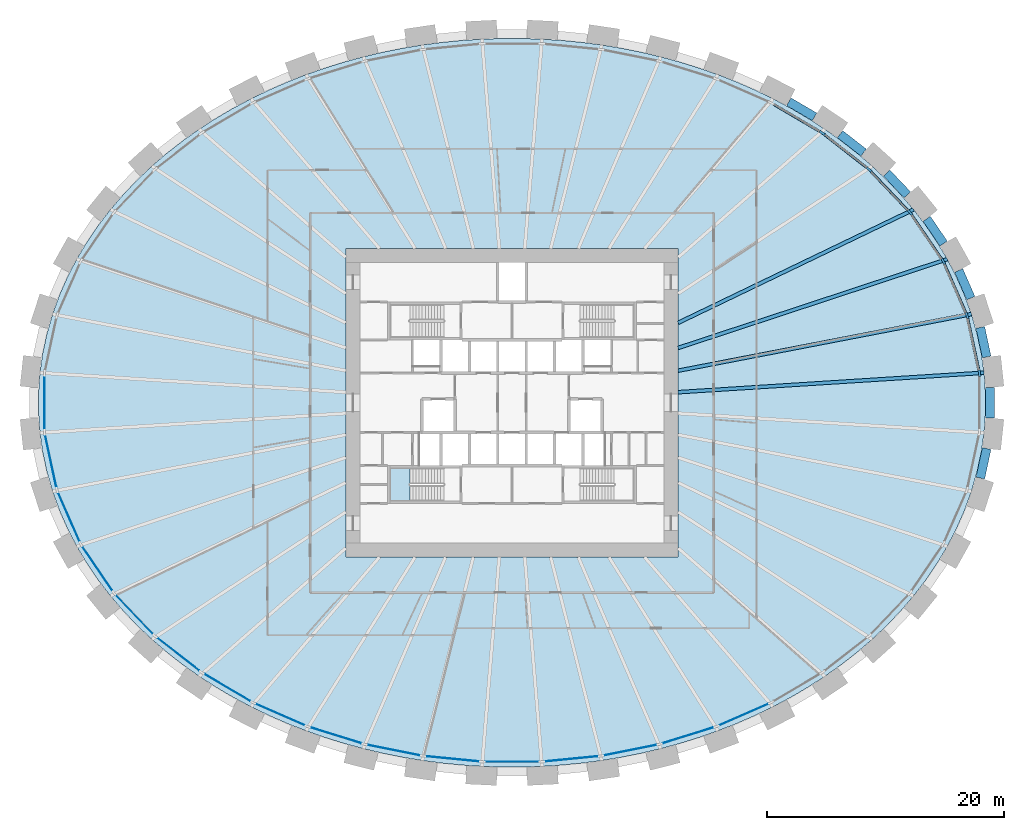
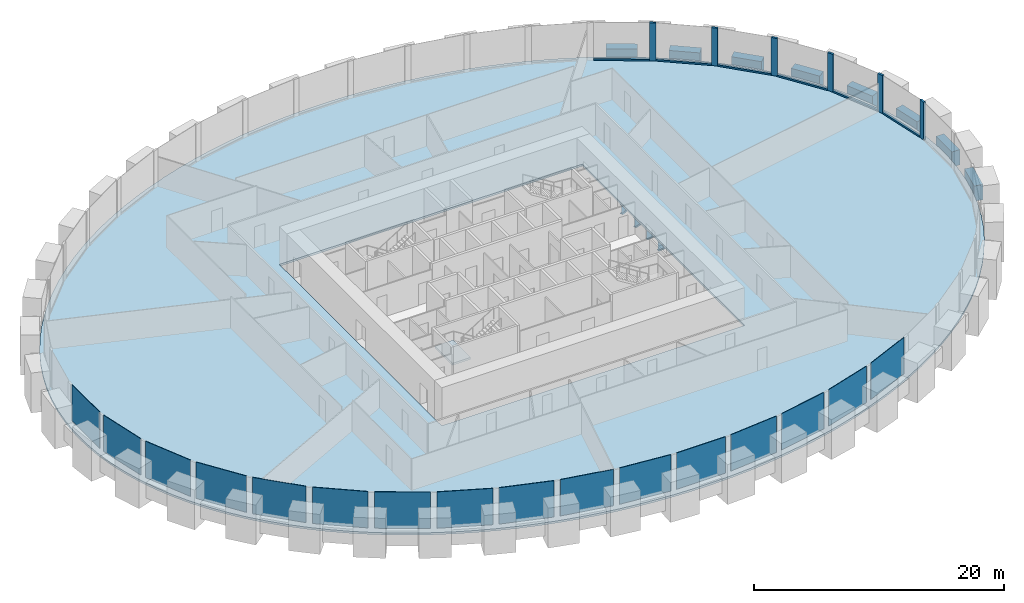
# One storey, part 4 of 11: 16 plates, 12 beams, 12 members, 2 slabs, 2 elements without a shape of their own.
"""IFC4 building model written with IfcOpenShell, lengths in metres."""

from ifc_helpers import new_model, si_unit, direction, frame, origin, origin_2d, place, context, subcontext, project, spatial, polyline, rectangle, i_section, outline, extrude, source, transform, mapped, material, layer, layer_set, material_profile, profile_set, type_object, element, aggregate, save


model = new_model("IFC4")

# Units and contexts
model_context = context("Model", 3, precision=1e-05, world=origin(), true_north=direction((0.0, 1.0)))
body_context = subcontext(model_context, "Body", "Model", "MODEL_VIEW")
ifc_project = project(units=[si_unit("LENGTHUNIT", "METRE"), si_unit("AREAUNIT", "SQUARE_METRE"), si_unit("VOLUMEUNIT", "CUBIC_METRE"), si_unit("PLANEANGLEUNIT", "RADIAN"), si_unit("MASSUNIT", "GRAM", prefix="KILO")], contexts=[model_context])

# Site, building, storey
site_placement = place(None, origin())
site = spatial("IfcSite", under=ifc_project, at=site_placement, CompositionType="ELEMENT")
building_placement = place(site_placement, origin())
building = spatial("IfcBuilding", under=site, at=building_placement, Name="Embergate Tower", CompositionType="ELEMENT")
storey_placement = place(building_placement, frame((0.0, 0.0, 62.0)))
storey = spatial("IfcBuildingStorey", under=building, at=storey_placement, Name="L11", CompositionType="ELEMENT", Elevation=62.0)

# Beams
ifc_material_1 = material(Name="Concrete C70", Category="concrete")
ifc_material_profile_1 = material_profile(ifc_material_1, rectangle(XDim=0.75, YDim=1.5, at=origin_2d()), Name="RC 750x1500")
ifc_profile_set_1 = profile_set([ifc_material_profile_1], Name="Concrete C70")
beam_type_1 = type_object("IfcBeamType", Name="Spandrel beam RC 750x1500 C70", PredefinedType="BEAM", material=ifc_profile_set_1)
shared_shape_1 = source(origin(), body_context, "Body", "SweptSolid", [
    extrude(rectangle(XDim=0.75, YDim=1.5, at=origin_2d()), origin(), (0.0, 0.0, 1.0), 2.5439453125),
])
for number, where, z_axis, x_axis, name in (
    (1, (40.0009765625, 3.85791015625, 0.0), (-0.210269633901, 0.977643432474, 0.0), (-0.977643432474, -0.210269633901, 0.0), "SPN-L11-00"),
    (2, (39.466064453125, -6.344970703125, 0.0), (0.210269633901, 0.977643432474, 0.0), (-0.977643432474, 0.210269633901, 0.0), "SPN-L11-42"),
):
    element("IfcBeam", number, at=place(storey_placement, frame(where, z_axis=z_axis, x_axis=x_axis)), inside=storey, type_object=beam_type_1, Name=name, PredefinedType="BEAM", context=body_context, shape_type="MappedRepresentation", body=[
        mapped(shared_shape_1, transform((0.0, 0.0, 0.0))),
    ])
shared_shape_2 = source(origin(), body_context, "Body", "SweptSolid", [
    extrude(rectangle(XDim=0.75, YDim=1.5, at=origin_2d()), origin(), (0.0, 0.0, 1.0), 2.540771484375),
])
beam_1_placement = place(storey_placement, frame((38.666015625, 8.819091796875, 0.0), z_axis=(-0.401479097778, 0.915868185956, 0.0), x_axis=(-0.915868185956, -0.401479097778, 0.0)))
element("IfcBeam", 3, at=beam_1_placement, inside=storey, type_object=beam_type_1, Name="SPN-L11-01", PredefinedType="BEAM", context=body_context, shape_type="MappedRepresentation", body=[
    mapped(shared_shape_2, transform((0.0, 0.0, 0.0))),
])
shared_shape_3 = source(origin(), body_context, "Body", "SweptSolid", [
    extrude(rectangle(XDim=0.75, YDim=1.5, at=origin_2d()), origin(), (0.0, 0.0, 1.0), 2.5302734375),
])
beam_2_placement = place(storey_placement, frame((36.3701171875, 13.410888671875, 0.0), z_axis=(-0.562447254988, 0.82683316658, 0.0), x_axis=(-0.82683316658, -0.562447254988, 0.0)))
element("IfcBeam", 4, at=beam_2_placement, inside=storey, type_object=beam_type_1, Name="SPN-L11-02", PredefinedType="BEAM", context=body_context, shape_type="MappedRepresentation", body=[
    mapped(shared_shape_3, transform((0.0, 0.0, 0.0))),
])
shared_shape_4 = source(origin(), body_context, "Body", "SweptSolid", [
    extrude(rectangle(XDim=0.75, YDim=1.5, at=origin_2d()), origin(), (0.0, 0.0, 1.0), 2.525146484375),
])
beam_3_placement = place(storey_placement, frame((33.31298828125, 17.52490234375, 0.0), z_axis=(-0.689836216716, 0.723965464719, 0.0), x_axis=(-0.723965464719, -0.689836216716, 0.0)))
element("IfcBeam", 5, at=beam_3_placement, inside=storey, type_object=beam_type_1, Name="SPN-L11-03", PredefinedType="BEAM", context=body_context, shape_type="MappedRepresentation", body=[
    mapped(shared_shape_4, transform((0.0, 0.0, 0.0))),
])
shared_shape_5 = source(origin(), body_context, "Body", "SweptSolid", [
    extrude(rectangle(XDim=0.75, YDim=1.5, at=origin_2d()), origin(), (0.0, 0.0, 1.0), 2.51708984375),
])
beam_4_placement = place(storey_placement, frame((29.6298828125, 21.0830078125, 0.0), z_axis=(-0.788186103863, 0.615436971328, 0.0), x_axis=(-0.615436971328, -0.788186103863, 0.0)))
element("IfcBeam", 6, at=beam_4_placement, inside=storey, type_object=beam_type_1, Name="SPN-L11-04", PredefinedType="BEAM", context=body_context, shape_type="MappedRepresentation", body=[
    mapped(shared_shape_5, transform((0.0, 0.0, 0.0))),
])
shared_shape_6 = source(origin(), body_context, "Body", "SweptSolid", [
    extrude(rectangle(XDim=0.75, YDim=1.5, at=origin_2d()), origin(), (0.0, 0.0, 1.0), 2.512451171875),
])
beam_5_placement = place(storey_placement, frame((25.49609375, 24.093994140625, 0.0), z_axis=(-0.862138987282, 0.506671852986, 0.0), x_axis=(-0.506671852986, -0.862138987282, 0.0)))
element("IfcBeam", 7, at=beam_5_placement, inside=storey, type_object=beam_type_1, Name="SPN-L11-05", PredefinedType="BEAM", context=body_context, shape_type="MappedRepresentation", body=[
    mapped(shared_shape_6, transform((0.0, 0.0, 0.0))),
])
shared_shape_7 = source(origin(), body_context, "Body", "SweptSolid", [
    extrude(rectangle(XDim=0.75, YDim=1.5, at=origin_2d()), origin(), (0.0, 0.0, 1.0), 2.5498046875),
])
beam_6_placement = place(storey_placement, frame((40.2958984375, -1.27490234375, 0.0), z_axis=(0.0, 1.0, 0.0), x_axis=(-1.0, 0.0, 0.0)))
element("IfcBeam", 8, at=beam_6_placement, inside=storey, type_object=beam_type_1, Name="SPN-L11-43", PredefinedType="BEAM", context=body_context, shape_type="MappedRepresentation", body=[
    mapped(shared_shape_7, transform((0.0, 0.0, 0.0))),
])
ifc_material_2 = material(Name="Steel Q355B", Category="steel")
ifc_material_profile_2 = material_profile(ifc_material_2, i_section(OverallWidth=0.300048828125, OverallDepth=0.89990234375, WebThickness=0.01611328125, FlangeThickness=0.028076171875, FilletRadius=0.028076171875, at=origin_2d()), Name="HN 900x300x16x28")
ifc_profile_set_2 = profile_set([ifc_material_profile_2], Name="Steel Q355 grade B")
beam_type_2 = type_object("IfcBeamType", Name="Radial girder HN 900x300x16x28", PredefinedType="BEAM", material=ifc_profile_set_2)
shared_shape_8 = source(origin(), body_context, "Body", "SweptSolid", [
    extrude(i_section(OverallWidth=0.300048828125, OverallDepth=0.89990234375, WebThickness=0.01611328125, FlangeThickness=0.028076171875, FilletRadius=0.028076171875, at=origin_2d()), origin(), (0.0, 0.0, 1.0), 25.8330078125),
])
beam_7_placement = place(storey_placement, frame((39.781005859375, 2.527099609375, -0.64990234375), z_axis=(-0.997987282957, -0.063414375786, 0.0), x_axis=(0.063414375786, -0.997987282957, 0.0)))
element("IfcBeam", 9, at=beam_7_placement, inside=storey, type_object=beam_type_2, Name="GIR-L11-00", PredefinedType="BEAM", context=body_context, shape_type="MappedRepresentation", body=[
    mapped(shared_shape_8, transform((0.0, 0.0, 0.0))),
])
shared_shape_9 = source(origin(), body_context, "Body", "SweptSolid", [
    extrude(i_section(OverallWidth=0.300048828125, OverallDepth=0.89990234375, WebThickness=0.01611328125, FlangeThickness=0.028076171875, FilletRadius=0.028076171875, at=origin_2d()), origin(), (0.0, 0.0, 1.0), 25.173583984375),
])
beam_8_placement = place(storey_placement, frame((38.718017578125, 7.468994140625, -0.64990234375), z_axis=(-0.981898721565, -0.189406706822, 0.0), x_axis=(0.189406706822, -0.981898721565, 0.0)))
element("IfcBeam", 10, at=beam_8_placement, inside=storey, type_object=beam_type_2, Name="GIR-L11-01", PredefinedType="BEAM", context=body_context, shape_type="MappedRepresentation", body=[
    mapped(shared_shape_9, transform((0.0, 0.0, 0.0))),
])
shared_shape_10 = source(origin(), body_context, "Body", "SweptSolid", [
    extrude(i_section(OverallWidth=0.300048828125, OverallDepth=0.89990234375, WebThickness=0.01611328125, FlangeThickness=0.028076171875, FilletRadius=0.028076171875, at=origin_2d()), origin(), (0.0, 0.0, 1.0), 23.889404296875),
])
beam_9_placement = place(storey_placement, frame((36.68701171875, 12.10009765625, -0.64990234375), z_axis=(-0.949672981662, -0.313243081171, 0.0), x_axis=(0.313243081171, -0.949672981662, 0.0)))
element("IfcBeam", 11, at=beam_9_placement, inside=storey, type_object=beam_type_2, Name="GIR-L11-02", PredefinedType="BEAM", context=body_context, shape_type="MappedRepresentation", body=[
    mapped(shared_shape_10, transform((0.0, 0.0, 0.0))),
])
shared_shape_11 = source(origin(), body_context, "Body", "SweptSolid", [
    extrude(i_section(OverallWidth=0.300048828125, OverallDepth=0.89990234375, WebThickness=0.01611328125, FlangeThickness=0.028076171875, FilletRadius=0.028076171875, at=origin_2d()), origin(), (0.0, 0.0, 1.0), 22.020751953125),
])
beam_10_placement = place(storey_placement, frame((33.843994140625, 16.281005859375, -0.64990234375), z_axis=(-0.90115457104, -0.433497911291, 0.0), x_axis=(0.433497911291, -0.90115457104, 0.0)))
element("IfcBeam", 12, at=beam_10_placement, inside=storey, type_object=beam_type_2, Name="GIR-L11-03", PredefinedType="BEAM", context=body_context, shape_type="MappedRepresentation", body=[
    mapped(shared_shape_11, transform((0.0, 0.0, 0.0))),
])

# Curtain wall, members
ifc_material_3 = material(Name="Aluminium and glass", Category="aluminium")
curtain_wall_type = type_object("IfcCurtainWallType", Name="Recessed office glazing", PredefinedType="NOTDEFINED", material=ifc_material_3)
curtain_wall_placement = place(storey_placement, origin())
curtain_wall = element("IfcCurtainWall", 13, at=curtain_wall_placement, inside=storey, type_object=curtain_wall_type, Name="Recessed office glazing ring", ObjectType="RECESSED OFFICE GLAZING", PredefinedType="USERDEFINED")
ifc_material_4 = material(Name="Aluminium, thermally broken", Category="aluminium")
ifc_material_profile_3 = material_profile(ifc_material_4, rectangle(XDim=0.179931640625, YDim=0.52001953125, at=origin_2d()), Name="AL 520x180")
ifc_profile_set_3 = profile_set([ifc_material_profile_3], Name="Aluminium, thermally broken")
member_type_1 = type_object("IfcMemberType", Name="Office mullion", PredefinedType="MULLION", material=ifc_profile_set_3)
shared_shape_12 = source(origin(), body_context, "Body", "SweptSolid", [
    extrude(rectangle(XDim=0.179931640625, YDim=0.52001953125, at=origin_2d()), origin(), (0.0, 0.0, 1.0), 3.699951171875),
])
member_1_placement = place(storey_placement, frame((39.393798828125, 2.485595703125, 0.0), z_axis=(0.0, 0.0, 1.0), x_axis=(-0.994385508811, -0.105818050756, 0.0)))
member_1 = element("IfcMember", 14, at=member_1_placement, type_object=member_type_1, Name="CW mullion 1", PredefinedType="MULLION", context=body_context, shape_type="MappedRepresentation", body=[
    mapped(shared_shape_12, transform((0.0, 0.0, 0.0))),
])
member_2_placement = place(storey_placement, frame((38.347412109375, 7.347900390625, 0.0), z_axis=(0.0, 0.0, 1.0), x_axis=(-0.951502093582, -0.307642269381, 0.0)))
member_2 = element("IfcMember", 15, at=member_2_placement, type_object=member_type_1, Name="CW mullion 2", PredefinedType="MULLION", context=body_context, shape_type="MappedRepresentation", body=[
    mapped(shared_shape_12, transform((0.0, 0.0, 0.0))),
])
member_3_placement = place(storey_placement, frame((36.3466796875, 11.909423828125, 0.0), z_axis=(0.0, 0.0, 1.0), x_axis=(-0.875010345178, -0.48410422001, 0.0)))
member_3 = element("IfcMember", 16, at=member_3_placement, type_object=member_type_1, Name="CW mullion 3", PredefinedType="MULLION", context=body_context, shape_type="MappedRepresentation", body=[
    mapped(shared_shape_12, transform((0.0, 0.0, 0.0))),
])
member_4_placement = place(storey_placement, frame((33.541015625, 16.035400390625, 0.0), z_axis=(0.0, 0.0, 1.0), x_axis=(-0.777883532271, -0.628408474022, 0.0)))
member_4 = element("IfcMember", 17, at=member_4_placement, type_object=member_type_1, Name="CW mullion 4", PredefinedType="MULLION", context=body_context, shape_type="MappedRepresentation", body=[
    mapped(shared_shape_12, transform((0.0, 0.0, 0.0))),
])
member_5_placement = place(storey_placement, frame((30.09130859375, 19.65283203125, 0.0), z_axis=(0.0, 0.0, 1.0), x_axis=(-0.671239471147, -0.741240563093, 0.0)))
member_5 = element("IfcMember", 18, at=member_5_placement, type_object=member_type_1, Name="CW mullion 5", PredefinedType="MULLION", context=body_context, shape_type="MappedRepresentation", body=[
    mapped(shared_shape_12, transform((0.0, 0.0, 0.0))),
])
member_6_placement = place(storey_placement, frame((26.14501953125, 22.73291015625, 0.0), z_axis=(0.0, 0.0, 1.0), x_axis=(-0.562229165438, -0.826981478348, 0.0)))
member_6 = element("IfcMember", 19, at=member_6_placement, type_object=member_type_1, Name="CW mullion 6", PredefinedType="MULLION", context=body_context, shape_type="MappedRepresentation", body=[
    mapped(shared_shape_12, transform((0.0, 0.0, 0.0))),
])
ifc_material_profile_4 = material_profile(ifc_material_4, rectangle(XDim=0.179931640625, YDim=0.14990234375, at=origin_2d()), Name="AL 150x180")
ifc_profile_set_4 = profile_set([ifc_material_profile_4], Name="Aluminium, thermally broken")
member_type_2 = type_object("IfcMemberType", Name="Office sill transom", PredefinedType="USERDEFINED", material=ifc_profile_set_4)
shared_shape_13 = source(origin(), body_context, "Body", "SweptSolid", [
    extrude(rectangle(XDim=0.179931640625, YDim=0.14990234375, at=origin_2d()), origin(), (0.0, 0.0, 1.0), 4.45361328125),
])
member_7_placement = place(storey_placement, frame((39.339111328125, 2.73974609375, 0.074951171875), z_axis=(-0.210390045313, 0.977617526865, 0.0), x_axis=(-0.977617526865, -0.210390045313, 0.0)))
member_7 = element("IfcMember", 20, at=member_7_placement, type_object=member_type_2, Name="CW transom 1.1", ObjectType="TRANSOM", PredefinedType="USERDEFINED", context=body_context, shape_type="MappedRepresentation", body=[
    mapped(shared_shape_13, transform((0.0, 0.0, 0.0))),
])
shared_shape_14 = source(origin(), body_context, "Body", "SweptSolid", [
    extrude(rectangle(XDim=0.179931640625, YDim=0.14990234375, at=origin_2d()), origin(), (0.0, 0.0, 1.0), 4.460693359375),
])
member_8_placement = place(storey_placement, frame((38.242919921875, 7.586181640625, 0.074951171875), z_axis=(-0.401613983085, 0.915809045921, 0.0), x_axis=(-0.915809045921, -0.401613983085, 0.0)))
member_8 = element("IfcMember", 21, at=member_8_placement, type_object=member_type_2, Name="CW transom 2.1", ObjectType="TRANSOM", PredefinedType="USERDEFINED", context=body_context, shape_type="MappedRepresentation", body=[
    mapped(shared_shape_14, transform((0.0, 0.0, 0.0))),
])
shared_shape_15 = source(origin(), body_context, "Body", "SweptSolid", [
    extrude(rectangle(XDim=0.179931640625, YDim=0.14990234375, at=origin_2d()), origin(), (0.0, 0.0, 1.0), 4.4697265625),
])
member_9_placement = place(storey_placement, frame((36.20068359375, 12.12451171875, 0.074951171875), z_axis=(-0.562327949545, 0.826914310652, 0.0), x_axis=(-0.826914310652, -0.562327949545, 0.0)))
member_9 = element("IfcMember", 22, at=member_9_placement, type_object=member_type_2, Name="CW transom 3.1", ObjectType="TRANSOM", PredefinedType="USERDEFINED", context=body_context, shape_type="MappedRepresentation", body=[
    mapped(shared_shape_15, transform((0.0, 0.0, 0.0))),
])
shared_shape_16 = source(origin(), body_context, "Body", "SweptSolid", [
    extrude(rectangle(XDim=0.179931640625, YDim=0.14990234375, at=origin_2d()), origin(), (0.0, 0.0, 1.0), 4.478515625),
])
member_10_placement = place(storey_placement, frame((33.361572265625, 16.2236328125, 0.074951171875), z_axis=(-0.690145055563, 0.723671059447, 0.0), x_axis=(-0.723671059447, -0.690145055563, 0.0)))
member_10 = element("IfcMember", 23, at=member_10_placement, type_object=member_type_2, Name="CW transom 4.1", ObjectType="TRANSOM", PredefinedType="USERDEFINED", context=body_context, shape_type="MappedRepresentation", body=[
    mapped(shared_shape_16, transform((0.0, 0.0, 0.0))),
])
shared_shape_17 = source(origin(), body_context, "Body", "SweptSolid", [
    extrude(rectangle(XDim=0.179931640625, YDim=0.14990234375, at=origin_2d()), origin(), (0.0, 0.0, 1.0), 4.486083984375),
])
member_11_placement = place(storey_placement, frame((29.886474609375, 19.812744140625, 0.074951171875), z_axis=(-0.78829904423, 0.615292301972, 0.0), x_axis=(-0.615292301972, -0.78829904423, 0.0)))
member_11 = element("IfcMember", 24, at=member_11_placement, type_object=member_type_2, Name="CW transom 5.1", ObjectType="TRANSOM", PredefinedType="USERDEFINED", context=body_context, shape_type="MappedRepresentation", body=[
    mapped(shared_shape_17, transform((0.0, 0.0, 0.0))),
])
shared_shape_18 = source(origin(), body_context, "Body", "SweptSolid", [
    extrude(rectangle(XDim=0.179931640625, YDim=0.14990234375, at=origin_2d()), origin(), (0.0, 0.0, 1.0), 4.491943359375),
])
member_12_placement = place(storey_placement, frame((25.9208984375, 22.86474609375, 0.074951171875), z_axis=(-0.8620529522, 0.506818219486, 0.0), x_axis=(-0.506818219486, -0.8620529522, 0.0)))
member_12 = element("IfcMember", 25, at=member_12_placement, type_object=member_type_2, Name="CW transom 6.1", ObjectType="TRANSOM", PredefinedType="USERDEFINED", context=body_context, shape_type="MappedRepresentation", body=[
    mapped(shared_shape_18, transform((0.0, 0.0, 0.0))),
])

# Slab
ifc_material_5 = material(Name="Concrete C40", Category="concrete")
ifc_layer_1 = layer(ifc_material_5, 0.199951171875)
ifc_layer_set_1 = layer_set([ifc_layer_1], Name="Concrete C40")
slab_type_1 = type_object("IfcSlabType", Name="Composite floor slab C40 200", PredefinedType="FLOOR", material=ifc_layer_set_1)
shared_shape_19 = source(origin(), body_context, "Body", "SweptSolid", [
    extrude(outline(polyline([(0.0, 0.0), (1.68798828125, 0.0), (3.375, 0.054931640625), (5.06298828125, 0.1650390625), (6.742919921875, 0.330078125), (8.4130859375, 0.550048828125), (10.0849609375, 0.826904296875), (11.739990234375, 1.158935546875), (13.375, 1.544921875), (15.013916015625, 1.992919921875), (16.6259765625, 2.494873046875), (18.2080078125, 3.050048828125), (19.7919921875, 3.673095703125), (21.339111328125, 4.348876953125), (22.844970703125, 5.077880859375), (24.35009765625, 5.880859375), (25.804931640625, 6.737060546875), (27.2080078125, 7.64306640625), (28.60107421875, 8.632080078125), (29.930908203125, 9.669921875), (31.196044921875, 10.755859375), (32.43798828125, 11.931884765625), (33.60302734375, 13.153076171875), (34.68798828125, 14.41796875), (35.72802734375, 15.77392578125), (36.677001953125, 17.1689453125), (37.531982421875, 18.599853515625), (38.31494140625, 20.114990234375), (38.991943359375, 21.659912109375), (39.56201171875, 23.22998046875), (40.032958984375, 24.862060546875), (40.387939453125, 26.510986328125), (40.6259765625, 28.171875), (40.74609375, 29.85595703125), (40.74609375, 31.5419921875), (40.6259765625, 33.22607421875), (40.387939453125, 34.886962890625), (40.032958984375, 36.535888671875), (39.56201171875, 38.16796875), (38.991943359375, 39.738037109375), (38.31494140625, 41.282958984375), (37.531982421875, 42.798095703125), (36.677001953125, 44.22900390625), (35.72802734375, 45.6240234375), (34.68798828125, 46.97998046875), (33.60302734375, 48.244873046875), (32.43798828125, 49.466064453125), (31.196044921875, 50.64208984375), (29.930908203125, 51.72802734375), (28.60107421875, 52.765869140625), (27.2080078125, 53.7548828125), (25.804931640625, 54.660888671875), (24.35009765625, 55.51708984375), (22.844970703125, 56.320068359375), (21.339111328125, 57.049072265625), (19.7919921875, 57.724853515625), (18.2080078125, 58.347900390625), (16.6259765625, 58.903076171875), (15.013916015625, 59.405029296875), (13.375, 59.85302734375), (11.739990234375, 60.239013671875), (10.0849609375, 60.571044921875), (8.4130859375, 60.847900390625), (6.742919921875, 61.06787109375), (5.06298828125, 61.23291015625), (3.375, 61.343017578125), (1.68798828125, 61.39794921875), (0.0, 61.39794921875), (-1.68701171875, 61.343017578125), (-3.375, 61.23291015625), (-5.054931640625, 61.06787109375), (-6.72509765625, 60.847900390625), (-8.39697265625, 60.571044921875), (-10.052001953125, 60.239013671875), (-11.68701171875, 59.85302734375), (-13.325927734375, 59.405029296875), (-14.93798828125, 58.903076171875), (-16.52001953125, 58.347900390625), (-18.10400390625, 57.724853515625), (-19.651123046875, 57.049072265625), (-21.156982421875, 56.320068359375), (-22.662109375, 55.51708984375), (-24.116943359375, 54.660888671875), (-25.52001953125, 53.7548828125), (-26.9130859375, 52.765869140625), (-28.242919921875, 51.72802734375), (-29.508056640625, 50.64208984375), (-30.75, 49.466064453125), (-31.9150390625, 48.244873046875), (-33.0, 46.97998046875), (-34.0400390625, 45.6240234375), (-34.989013671875, 44.22900390625), (-35.843994140625, 42.798095703125), (-36.626953125, 41.282958984375), (-37.303955078125, 39.738037109375), (-37.8740234375, 38.16796875), (-38.344970703125, 36.535888671875), (-38.699951171875, 34.886962890625), (-38.93798828125, 33.22607421875), (-39.05810546875, 31.5419921875), (-39.05810546875, 29.85595703125), (-38.93798828125, 28.171875), (-38.699951171875, 26.510986328125), (-38.344970703125, 24.862060546875), (-37.8740234375, 23.22998046875), (-37.303955078125, 21.659912109375), (-36.626953125, 20.114990234375), (-35.843994140625, 18.599853515625), (-34.989013671875, 17.1689453125), (-34.0400390625, 15.77392578125), (-33.0, 14.41796875), (-31.9150390625, 13.153076171875), (-30.75, 11.931884765625), (-29.508056640625, 10.755859375), (-28.242919921875, 9.669921875), (-26.9130859375, 8.632080078125), (-25.52001953125, 7.64306640625), (-24.116943359375, 6.737060546875), (-22.662109375, 5.880859375), (-21.156982421875, 5.077880859375), (-19.651123046875, 4.348876953125), (-18.10400390625, 3.673095703125), (-16.52001953125, 3.050048828125), (-14.93798828125, 2.494873046875), (-13.325927734375, 1.992919921875), (-11.68701171875, 1.544921875), (-10.052001953125, 1.158935546875), (-8.39697265625, 0.826904296875), (-6.72509765625, 0.550048828125), (-5.054931640625, 0.330078125), (-3.375, 0.1650390625), (-1.68701171875, 0.054931640625), (0.0, 0.0)]), holes=[polyline([(-13.156005859375, 17.698974609375), (-13.156005859375, 43.698974609375), (14.843994140625, 43.698974609375), (14.843994140625, 17.698974609375), (-13.156005859375, 17.698974609375)])]), origin(), (0.0, 0.0, 1.0), 0.199951171875),
])
slab_1_placement = place(storey_placement, frame((-0.843994140625, -30.698974609375, -0.199951171875)))
element("IfcSlab", 26, at=slab_1_placement, inside=storey, type_object=slab_type_1, Name="SLB-L11-00", PredefinedType="FLOOR", context=body_context, shape_type="MappedRepresentation", body=[
    mapped(shared_shape_19, transform((0.0, 0.0, 0.0))),
])

# Plate
ifc_material_6 = material(Name="Triple glazing, low-emissivity coating", Category="glass")
ifc_layer_2 = layer(ifc_material_6, 0.035888671875)
ifc_layer_set_2 = layer_set([ifc_layer_2], Name="Triple glazing, low-emissivity coating")
plate_type = type_object("IfcPlateType", Name="Office glazing unit", PredefinedType="CURTAIN_PANEL", material=ifc_layer_set_2)
shared_shape_20 = source(origin(), body_context, "Body", "SweptSolid", [
    extrude(rectangle(XDim=4.453857421875, YDim=0.035888671875, at=origin_2d()), origin(), (0.0, 0.0, 1.0), 3.550048828125),
])
plate_1_placement = place(storey_placement, frame((-38.87060546875, -4.916748046875, 0.14990234375), z_axis=(0.0, 0.0, 1.0), x_axis=(0.210391566126, -0.977617199574, 0.0)))
plate_1 = element("IfcPlate", 27, at=plate_1_placement, type_object=plate_type, Name="CW panel 23.1", PredefinedType="CURTAIN_PANEL", context=body_context, shape_type="MappedRepresentation", body=[
    mapped(shared_shape_20, transform((0.0, 0.0, 0.0))),
])

shared_shape_21 = source(origin(), body_context, "Body", "SweptSolid", [
    extrude(rectangle(XDim=4.460693359375, YDim=0.035888671875, at=origin_2d()), origin(), (0.0, 0.0, 1.0), 3.550048828125),
])
plate_2_placement = place(storey_placement, frame((-37.34716796875, -9.628662109375, 0.14990234375), z_axis=(0.0, 0.0, 1.0), x_axis=(0.401644109346, -0.915795833921, 0.0)))
plate_2 = element("IfcPlate", 28, at=plate_2_placement, type_object=plate_type, Name="CW panel 24.1", PredefinedType="CURTAIN_PANEL", context=body_context, shape_type="MappedRepresentation", body=[
    mapped(shared_shape_21, transform((0.0, 0.0, 0.0))),
])

shared_shape_22 = source(origin(), body_context, "Body", "SweptSolid", [
    extrude(rectangle(XDim=4.4697265625, YDim=0.035888671875, at=origin_2d()), origin(), (0.0, 0.0, 1.0), 3.550048828125),
])
plate_3_placement = place(storey_placement, frame((-34.94384765625, -13.972412109375, 0.14990234375), z_axis=(0.0, 0.0, 1.0), x_axis=(0.562331639324, -0.826911801473, 0.0)))
plate_3 = element("IfcPlate", 29, at=plate_3_placement, type_object=plate_type, Name="CW panel 25.1", PredefinedType="CURTAIN_PANEL", context=body_context, shape_type="MappedRepresentation", body=[
    mapped(shared_shape_22, transform((0.0, 0.0, 0.0))),
])

shared_shape_23 = source(origin(), body_context, "Body", "SweptSolid", [
    extrude(rectangle(XDim=4.478515625, YDim=0.035888671875, at=origin_2d()), origin(), (0.0, 0.0, 1.0), 3.550048828125),
])
plate_4_placement = place(storey_placement, frame((-31.816162109375, -17.84423828125, 0.14990234375), z_axis=(0.0, 0.0, 1.0), x_axis=(0.690124942972, -0.723690239735, 0.0)))
plate_4 = element("IfcPlate", 30, at=plate_4_placement, type_object=plate_type, Name="CW panel 26.1", PredefinedType="CURTAIN_PANEL", context=body_context, shape_type="MappedRepresentation", body=[
    mapped(shared_shape_23, transform((0.0, 0.0, 0.0))),
])

shared_shape_24 = source(origin(), body_context, "Body", "SweptSolid", [
    extrude(rectangle(XDim=4.486083984375, YDim=0.035888671875, at=origin_2d()), origin(), (0.0, 0.0, 1.0), 3.550048828125),
])
plate_5_placement = place(storey_placement, frame((-28.1181640625, -21.19287109375, 0.14990234375), z_axis=(0.0, 0.0, 1.0), x_axis=(0.788312602312, -0.615274931259, 0.0)))
plate_5 = element("IfcPlate", 31, at=plate_5_placement, type_object=plate_type, Name="CW panel 27.1", PredefinedType="CURTAIN_PANEL", context=body_context, shape_type="MappedRepresentation", body=[
    mapped(shared_shape_24, transform((0.0, 0.0, 0.0))),
])

shared_shape_25 = source(origin(), body_context, "Body", "SweptSolid", [
    extrude(rectangle(XDim=4.491943359375, YDim=0.035888671875, at=origin_2d()), origin(), (0.0, 0.0, 1.0), 3.550048828125),
])
plate_6_placement = place(storey_placement, frame((-23.98486328125, -24.0029296875, 0.14990234375), z_axis=(0.0, 0.0, 1.0), x_axis=(0.86204786038, -0.506826880122, 0.0)))
plate_6 = element("IfcPlate", 32, at=plate_6_placement, type_object=plate_type, Name="CW panel 28.1", PredefinedType="CURTAIN_PANEL", context=body_context, shape_type="MappedRepresentation", body=[
    mapped(shared_shape_25, transform((0.0, 0.0, 0.0))),
])

shared_shape_26 = source(origin(), body_context, "Body", "SweptSolid", [
    extrude(rectangle(XDim=4.49658203125, YDim=0.035888671875, at=origin_2d()), origin(), (0.0, 0.0, 1.0), 3.550048828125),
])
plate_7_placement = place(storey_placement, frame((-19.5263671875, -26.278076171875, 0.14990234375), z_axis=(0.0, 0.0, 1.0), x_axis=(0.916232715476, -0.400646491426, 0.0)))
plate_7 = element("IfcPlate", 33, at=plate_7_placement, type_object=plate_type, Name="CW panel 29.1", PredefinedType="CURTAIN_PANEL", context=body_context, shape_type="MappedRepresentation", body=[
    mapped(shared_shape_26, transform((0.0, 0.0, 0.0))),
])

plate_8_placement = place(storey_placement, frame((19.5263671875, -26.278076171875, 0.14990234375), z_axis=(0.0, 0.0, 1.0), x_axis=(0.916232715476, 0.400646491426, 0.0)))
plate_8 = element("IfcPlate", 34, at=plate_8_placement, type_object=plate_type, Name="CW panel 37.1", PredefinedType="CURTAIN_PANEL", context=body_context, shape_type="MappedRepresentation", body=[
    mapped(shared_shape_26, transform((0.0, 0.0, 0.0))),
])

shared_shape_27 = source(origin(), body_context, "Body", "SweptSolid", [
    extrude(rectangle(XDim=4.5, YDim=0.035888671875, at=origin_2d()), origin(), (0.0, 0.0, 1.0), 3.550048828125),
])
plate_9_placement = place(storey_placement, frame((-14.831787109375, -28.029296875, 0.14990234375), z_axis=(0.0, 0.0, 1.0), x_axis=(0.954770141339, -0.297344879236, 0.0)))
plate_9 = element("IfcPlate", 35, at=plate_9_placement, type_object=plate_type, Name="CW panel 30.1", PredefinedType="CURTAIN_PANEL", context=body_context, shape_type="MappedRepresentation", body=[
    mapped(shared_shape_27, transform((0.0, 0.0, 0.0))),
])

plate_10_placement = place(storey_placement, frame((14.831787109375, -28.029296875, 0.14990234375), z_axis=(0.0, 0.0, 1.0), x_axis=(0.954770141339, 0.297344879236, 0.0)))
plate_10 = element("IfcPlate", 36, at=plate_10_placement, type_object=plate_type, Name="CW panel 36.1", PredefinedType="CURTAIN_PANEL", context=body_context, shape_type="MappedRepresentation", body=[
    mapped(shared_shape_27, transform((0.0, 0.0, 0.0))),
])

shared_shape_28 = source(origin(), body_context, "Body", "SweptSolid", [
    extrude(rectangle(XDim=4.502197265625, YDim=0.035888671875, at=origin_2d()), origin(), (0.0, 0.0, 1.0), 3.550048828125),
])
plate_11_placement = place(storey_placement, frame((-9.97314453125, -29.269287109375, 0.14990234375), z_axis=(0.0, 0.0, 1.0), x_axis=(0.980474877795, -0.196644384646, 0.0)))
plate_11 = element("IfcPlate", 37, at=plate_11_placement, type_object=plate_type, Name="CW panel 31.1", PredefinedType="CURTAIN_PANEL", context=body_context, shape_type="MappedRepresentation", body=[
    mapped(shared_shape_28, transform((0.0, 0.0, 0.0))),
])

plate_12_placement = place(storey_placement, frame((9.97314453125, -29.269287109375, 0.14990234375), z_axis=(0.0, 0.0, 1.0), x_axis=(0.980474877795, 0.196644384646, 0.0)))
plate_12 = element("IfcPlate", 38, at=plate_12_placement, type_object=plate_type, Name="CW panel 35.1", PredefinedType="CURTAIN_PANEL", context=body_context, shape_type="MappedRepresentation", body=[
    mapped(shared_shape_28, transform((0.0, 0.0, 0.0))),
])

shared_shape_29 = source(origin(), body_context, "Body", "SweptSolid", [
    extrude(rectangle(XDim=4.50341796875, YDim=0.035888671875, at=origin_2d()), origin(), (0.0, 0.0, 1.0), 3.550048828125),
])
plate_13_placement = place(storey_placement, frame((-5.01171875, -30.009033203125, 0.14990234375), z_axis=(0.0, 0.0, 1.0), x_axis=(0.995203014042, -0.097831287645, 0.0)))
plate_13 = element("IfcPlate", 39, at=plate_13_placement, type_object=plate_type, Name="CW panel 32.1", PredefinedType="CURTAIN_PANEL", context=body_context, shape_type="MappedRepresentation", body=[
    mapped(shared_shape_29, transform((0.0, 0.0, 0.0))),
])

plate_14_placement = place(storey_placement, frame((5.01171875, -30.009033203125, 0.14990234375), z_axis=(0.0, 0.0, 1.0), x_axis=(0.995203014042, 0.097831287645, 0.0)))
plate_14 = element("IfcPlate", 40, at=plate_14_placement, type_object=plate_type, Name="CW panel 34.1", PredefinedType="CURTAIN_PANEL", context=body_context, shape_type="MappedRepresentation", body=[
    mapped(shared_shape_29, transform((0.0, 0.0, 0.0))),
])

shared_shape_30 = source(origin(), body_context, "Body", "SweptSolid", [
    extrude(rectangle(XDim=4.50390625, YDim=0.035888671875, at=origin_2d()), origin(), (0.0, 0.0, 1.0), 3.550048828125),
])
plate_15_placement = place(storey_placement, frame((0.0, -30.254638671875, 0.14990234375), z_axis=(0.0, 0.0, 1.0), x_axis=(1.0, 0.0, 0.0)))
plate_15 = element("IfcPlate", 41, at=plate_15_placement, type_object=plate_type, Name="CW panel 33.1", PredefinedType="CURTAIN_PANEL", context=body_context, shape_type="MappedRepresentation", body=[
    mapped(shared_shape_30, transform((0.0, 0.0, 0.0))),
])

shared_shape_31 = source(origin(), body_context, "Body", "SweptSolid", [
    extrude(rectangle(XDim=4.451171875, YDim=0.035888671875, at=origin_2d()), origin(), (0.0, 0.0, 1.0), 3.550048828125),
])
plate_16_placement = place(storey_placement, frame((-39.393798828125, 0.0, 0.14990234375), z_axis=(0.0, 0.0, 1.0), x_axis=(0.0, -1.0, 0.0)))
plate_16 = element("IfcPlate", 42, at=plate_16_placement, type_object=plate_type, Name="CW panel 22.1", PredefinedType="CURTAIN_PANEL", context=body_context, shape_type="MappedRepresentation", body=[
    mapped(shared_shape_31, transform((0.0, 0.0, 0.0))),
])

aggregate(curtain_wall, [member_1, member_2, member_3, member_4, member_5, member_6, member_7, member_8, member_9, member_10, member_11, member_12, plate_16, plate_1, plate_2, plate_3, plate_4, plate_5, plate_6, plate_7, plate_9, plate_11, plate_13, plate_15, plate_14, plate_12, plate_10, plate_8])

# Stair, slab
ifc_material_7 = material(Name="Exit stair")
stair_type = type_object("IfcStairType", Name="Exit stair", PredefinedType="HALF_TURN_STAIR", material=ifc_material_7)
stair_placement = place(storey_placement, origin())
stair = element("IfcStair", 43, at=stair_placement, inside=storey, type_object=stair_type, Name="L11 Exit stair 3", PredefinedType="HALF_TURN_STAIR")
ifc_layer_3 = layer(ifc_material_5, 0.199951171875)
ifc_layer_set_3 = layer_set([ifc_layer_3], Name="Concrete C40")
slab_type_2 = type_object("IfcSlabType", Name="Stair landing reinforced concrete", PredefinedType="LANDING", material=ifc_layer_set_3)
shared_shape_32 = source(origin(), body_context, "Body", "SweptSolid", [
    extrude(outline(polyline([(0.0, 0.0), (1.68994140625, 0.0), (1.68994140625, 2.800048828125), (0.0, 2.800048828125), (0.0, 0.0)])), origin(), (0.0, 0.0, 1.0), 0.199951171875),
])
slab_2_placement = place(storey_placement, frame((-10.300048828125, -8.300048828125, 1.75)))
slab_2 = element("IfcSlab", 44, at=slab_2_placement, type_object=slab_type_2, Name="ST3 landing 1", PredefinedType="LANDING", context=body_context, shape_type="MappedRepresentation", body=[
    mapped(shared_shape_32, transform((0.0, 0.0, 0.0))),
])
aggregate(stair, [slab_2])

save(model, "model.ifc")
